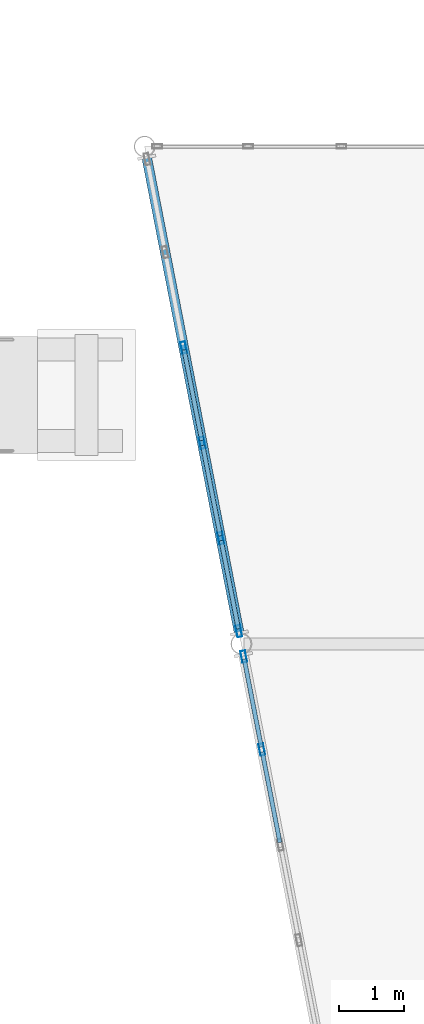
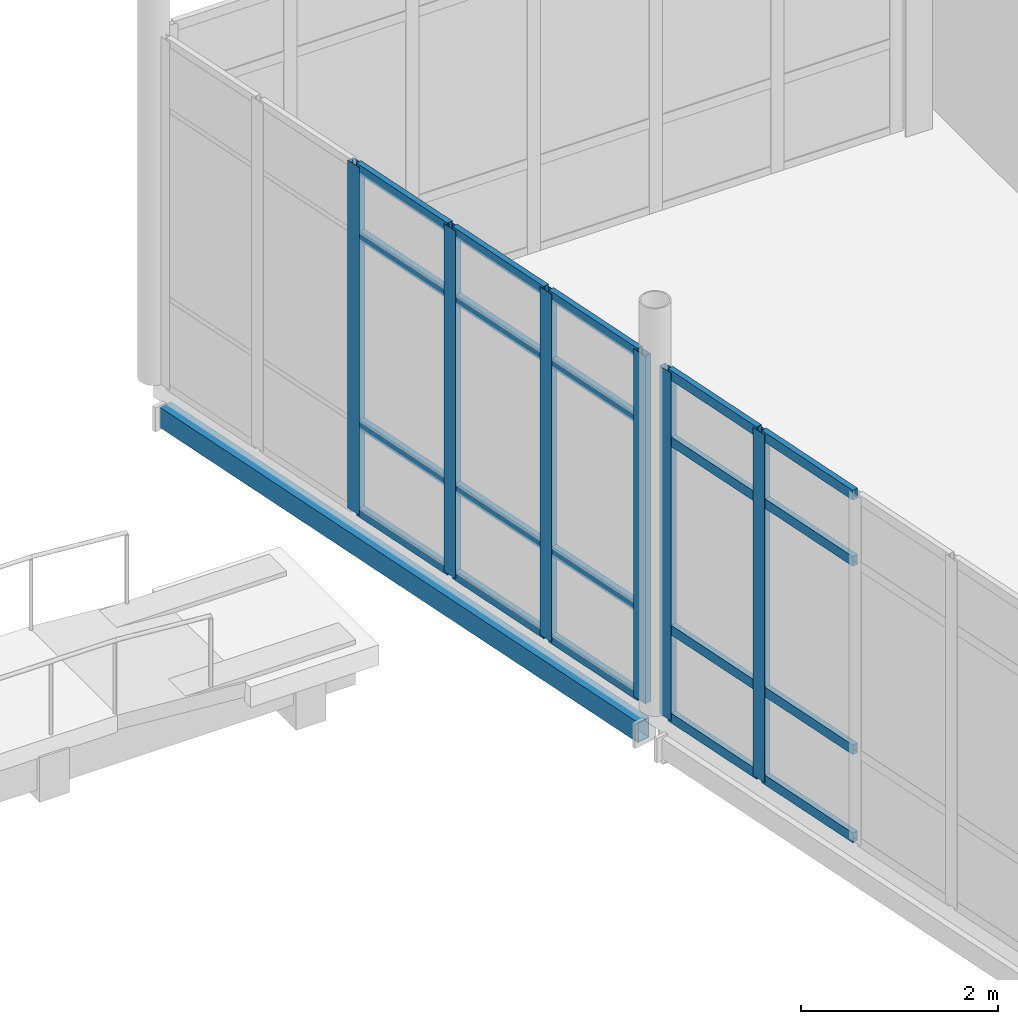
# One storey, part 95 of 161: 26 members, 1 beam, 2 elements without a shape of their own.
"""IFC4 building model written with IfcOpenShell, lengths in metres."""

from ifc_helpers import new_model, si_unit, direction, frame, origin, origin_2d, place, context, subcontext, project, spatial, hollow_rectangle, extrude, material, material_profile, profile_set, type_object, element, aggregate, save


model = new_model("IFC4")

# Units and contexts
model_context = context("Model", 3, precision=1e-05, world=origin(), true_north=direction((0.0, 1.0)))
body_context = subcontext(model_context, "Body", "Model", "MODEL_VIEW")
ifc_project = project(units=[si_unit("LENGTHUNIT", "METRE"), si_unit("AREAUNIT", "SQUARE_METRE"), si_unit("VOLUMEUNIT", "CUBIC_METRE"), si_unit("PLANEANGLEUNIT", "RADIAN"), si_unit("MASSUNIT", "GRAM", prefix="KILO")], contexts=[model_context])

# Site, building, storey
site_placement = place(None, origin())
site = spatial("IfcSite", under=ifc_project, at=site_placement, CompositionType="ELEMENT")
building_placement = place(site_placement, origin())
building = spatial("IfcBuilding", under=site, at=building_placement, Name="Caisbarro Railhouse Central Library", CompositionType="ELEMENT")
storey_placement = place(building_placement, origin())
storey = spatial("IfcBuildingStorey", under=building, at=storey_placement, Name="L00", CompositionType="ELEMENT", Elevation=0.0)

# Beam
ifc_material_1 = material(Name="Steel ASTM A572 Grade 50", Category="steel")
ifc_material_profile_1 = material_profile(ifc_material_1, hollow_rectangle(XDim=0.14990234375, YDim=0.25, WallThickness=0.010009765625, at=origin_2d()), Name="HSS250X150X10")
ifc_profile_set_1 = profile_set([ifc_material_profile_1], Name="Steel ASTM A572 Grade 50")
beam_type = type_object("IfcBeamType", Name="BM-SP03", PredefinedType="SPANDREL", material=ifc_profile_set_1)
beam_placement = place(storey_placement, frame((109.57958984375, 98.976806640625, -0.375), z_axis=(-0.19088559215, 0.981612291442, 0.0), x_axis=(-0.981612291442, -0.19088559215, 0.0)))
element("IfcBeam", 1, at=beam_placement, inside=storey, type_object=beam_type, Name="SP03 beam L00 #686", PredefinedType="SPANDREL", context=body_context, shape_type="SweptSolid", body=[
    extrude(hollow_rectangle(XDim=0.14990234375, YDim=0.25, WallThickness=0.010009765625, at=origin_2d()), origin(), (0.0, 0.0, 1.0), 7.38232421875),
])

# Curtain wall, members
ifc_material_2 = material(Name="Anodised architectural aluminium", Category="aluminium")
curtain_wall_type = type_object("IfcCurtainWallType", Name="CW-CW01", PredefinedType="NOTDEFINED", material=ifc_material_2)
curtain_wall_1_placement = place(storey_placement, origin())
curtain_wall_1 = element("IfcCurtainWall", 2, at=curtain_wall_1_placement, inside=storey, type_object=curtain_wall_type, Name="CW01 curtain wall L00 #99", PredefinedType="NOTDEFINED")
ifc_material_profile_2 = material_profile(ifc_material_2, hollow_rectangle(XDim=0.074951171875, YDim=0.179931640625, WallThickness=0.00439453125, at=origin_2d()), Name="ALU-MUL-75X180")
ifc_profile_set_2 = profile_set([ifc_material_profile_2], Name="Anodised architectural aluminium")
member_type_1 = type_object("IfcMemberType", Name="CWM-M01", PredefinedType="MULLION", material=ifc_profile_set_2)
member_1_placement = place(storey_placement, frame((109.927734375, 97.185791015625, 0.0), z_axis=(0.0, 0.0, 1.0), x_axis=(-0.981632635401, -0.190780945369, 0.0)))
member_1 = element("IfcMember", 3, at=member_1_placement, type_object=member_type_1, Name="CW01 mullion 5", PredefinedType="MULLION", context=body_context, shape_type="SweptSolid", body=[
    extrude(hollow_rectangle(XDim=0.074951171875, YDim=0.179931640625, WallThickness=0.00439453125, at=origin_2d()), origin(), (0.0, 0.0, 1.0), 4.300048828125),
])
member_2_placement = place(storey_placement, frame((109.651611328125, 98.606201171875, 0.0), z_axis=(0.0, 0.0, 1.0), x_axis=(-0.981632635401, -0.190780945369, 0.0)))
member_2 = element("IfcMember", 4, at=member_2_placement, type_object=member_type_1, Name="CW01 mullion 6", PredefinedType="MULLION", context=body_context, shape_type="SweptSolid", body=[
    extrude(hollow_rectangle(XDim=0.074951171875, YDim=0.179931640625, WallThickness=0.00439453125, at=origin_2d()), origin(), (0.0, 0.0, 1.0), 4.300048828125),
])

curtain_wall_2_placement = place(storey_placement, origin())
curtain_wall_2 = element("IfcCurtainWall", 5, at=curtain_wall_2_placement, inside=storey, type_object=curtain_wall_type, Name="CW01 curtain wall L00 #100", PredefinedType="NOTDEFINED")
member_3_placement = place(storey_placement, frame((109.576416015625, 98.993896484375, 0.0), z_axis=(0.0, 0.0, 1.0), x_axis=(-0.98160739523, -0.190910768765, 0.0)))
member_3 = element("IfcMember", 6, at=member_3_placement, type_object=member_type_1, Name="CW01 mullion 1", PredefinedType="MULLION", context=body_context, shape_type="SweptSolid", body=[
    extrude(hollow_rectangle(XDim=0.074951171875, YDim=0.179931640625, WallThickness=0.00439453125, at=origin_2d()), origin(), (0.0, 0.0, 1.0), 4.300048828125),
])
member_4_placement = place(storey_placement, frame((109.300048828125, 100.414306640625, 0.0), z_axis=(0.0, 0.0, 1.0), x_axis=(-0.98160739523, -0.190910768765, 0.0)))
member_4 = element("IfcMember", 7, at=member_4_placement, type_object=member_type_1, Name="CW01 mullion 2", PredefinedType="MULLION", context=body_context, shape_type="SweptSolid", body=[
    extrude(hollow_rectangle(XDim=0.074951171875, YDim=0.179931640625, WallThickness=0.00439453125, at=origin_2d()), origin(), (0.0, 0.0, 1.0), 4.300048828125),
])
member_5_placement = place(storey_placement, frame((109.0166015625, 101.871337890625, 0.0), z_axis=(0.0, 0.0, 1.0), x_axis=(-0.98160739523, -0.190910768765, 0.0)))
member_5 = element("IfcMember", 8, at=member_5_placement, type_object=member_type_1, Name="CW01 mullion 3", PredefinedType="MULLION", context=body_context, shape_type="SweptSolid", body=[
    extrude(hollow_rectangle(XDim=0.074951171875, YDim=0.179931640625, WallThickness=0.00439453125, at=origin_2d()), origin(), (0.0, 0.0, 1.0), 4.300048828125),
])
member_6_placement = place(storey_placement, frame((108.7333984375, 103.32861328125, 0.0), z_axis=(0.0, 0.0, 1.0), x_axis=(-0.98160739523, -0.190910768765, 0.0)))
member_6 = element("IfcMember", 9, at=member_6_placement, type_object=member_type_1, Name="CW01 mullion 4", PredefinedType="MULLION", context=body_context, shape_type="SweptSolid", body=[
    extrude(hollow_rectangle(XDim=0.074951171875, YDim=0.179931640625, WallThickness=0.00439453125, at=origin_2d()), origin(), (0.0, 0.0, 1.0), 4.300048828125),
])

# Member
ifc_material_profile_3 = material_profile(ifc_material_2, hollow_rectangle(XDim=0.06494140625, YDim=0.1201171875, WallThickness=0.00341796875, at=origin_2d()), Name="ALU-TRN-65X120")
ifc_profile_set_3 = profile_set([ifc_material_profile_3], Name="Anodised architectural aluminium")
member_type_2 = type_object("IfcMemberType", Name="CWT-T02", PredefinedType="USERDEFINED", material=ifc_profile_set_3)
member_7_placement = place(storey_placement, frame((110.203857421875, 95.765380859375, 0.032470703125), z_axis=(-0.190883567843, 0.981612685089, 0.0), x_axis=(-0.981612685089, -0.190883567843, 0.0)))
member_7 = element("IfcMember", 10, at=member_7_placement, type_object=member_type_2, Name="CW01 transom 4.1", ObjectType="TRANSOM", PredefinedType="USERDEFINED", context=body_context, shape_type="SweptSolid", body=[
    extrude(hollow_rectangle(XDim=0.06494140625, YDim=0.1201171875, WallThickness=0.00341796875, at=origin_2d()), origin(), (0.0, 0.0, 1.0), 1.409423828125),
])

member_8_placement = place(storey_placement, frame((110.203857421875, 95.765380859375, 1.1201171875), z_axis=(-0.190883567843, 0.981612685089, 0.0), x_axis=(-0.981612685089, -0.190883567843, 0.0)))
member_8 = element("IfcMember", 11, at=member_8_placement, type_object=member_type_2, Name="CW01 transom 4.2", ObjectType="TRANSOM", PredefinedType="USERDEFINED", context=body_context, shape_type="SweptSolid", body=[
    extrude(hollow_rectangle(XDim=0.06494140625, YDim=0.1201171875, WallThickness=0.00341796875, at=origin_2d()), origin(), (0.0, 0.0, 1.0), 1.409423828125),
])

member_9_placement = place(storey_placement, frame((110.203857421875, 95.765380859375, 3.449951171875), z_axis=(-0.190883567843, 0.981612685089, 0.0), x_axis=(-0.981612685089, -0.190883567843, 0.0)))
member_9 = element("IfcMember", 12, at=member_9_placement, type_object=member_type_2, Name="CW01 transom 4.3", ObjectType="TRANSOM", PredefinedType="USERDEFINED", context=body_context, shape_type="SweptSolid", body=[
    extrude(hollow_rectangle(XDim=0.06494140625, YDim=0.1201171875, WallThickness=0.00341796875, at=origin_2d()), origin(), (0.0, 0.0, 1.0), 1.409423828125),
])

member_10_placement = place(storey_placement, frame((110.203857421875, 95.765380859375, 4.267578125), z_axis=(-0.190883567843, 0.981612685089, 0.0), x_axis=(-0.981612685089, -0.190883567843, 0.0)))
member_10 = element("IfcMember", 13, at=member_10_placement, type_object=member_type_2, Name="CW01 transom 4.4", ObjectType="TRANSOM", PredefinedType="USERDEFINED", context=body_context, shape_type="SweptSolid", body=[
    extrude(hollow_rectangle(XDim=0.06494140625, YDim=0.1201171875, WallThickness=0.00341796875, at=origin_2d()), origin(), (0.0, 0.0, 1.0), 1.409423828125),
])

member_11_placement = place(storey_placement, frame((109.920654296875, 97.22265625, 0.032470703125), z_axis=(-0.190945868313, 0.981600568141, 0.0), x_axis=(-0.981600568141, -0.190945868313, 0.0)))
member_11 = element("IfcMember", 14, at=member_11_placement, type_object=member_type_2, Name="CW01 transom 5.1", ObjectType="TRANSOM", PredefinedType="USERDEFINED", context=body_context, shape_type="SweptSolid", body=[
    extrude(hollow_rectangle(XDim=0.06494140625, YDim=0.1201171875, WallThickness=0.00341796875, at=origin_2d()), origin(), (0.0, 0.0, 1.0), 1.371826171875),
])

member_12_placement = place(storey_placement, frame((109.920654296875, 97.22265625, 1.1201171875), z_axis=(-0.190945868313, 0.981600568141, 0.0), x_axis=(-0.981600568141, -0.190945868313, 0.0)))
member_12 = element("IfcMember", 15, at=member_12_placement, type_object=member_type_2, Name="CW01 transom 5.2", ObjectType="TRANSOM", PredefinedType="USERDEFINED", context=body_context, shape_type="SweptSolid", body=[
    extrude(hollow_rectangle(XDim=0.06494140625, YDim=0.1201171875, WallThickness=0.00341796875, at=origin_2d()), origin(), (0.0, 0.0, 1.0), 1.371826171875),
])

member_13_placement = place(storey_placement, frame((109.920654296875, 97.22265625, 3.449951171875), z_axis=(-0.190945868313, 0.981600568141, 0.0), x_axis=(-0.981600568141, -0.190945868313, 0.0)))
member_13 = element("IfcMember", 16, at=member_13_placement, type_object=member_type_2, Name="CW01 transom 5.3", ObjectType="TRANSOM", PredefinedType="USERDEFINED", context=body_context, shape_type="SweptSolid", body=[
    extrude(hollow_rectangle(XDim=0.06494140625, YDim=0.1201171875, WallThickness=0.00341796875, at=origin_2d()), origin(), (0.0, 0.0, 1.0), 1.371826171875),
])

member_14_placement = place(storey_placement, frame((109.920654296875, 97.22265625, 4.267578125), z_axis=(-0.190945868313, 0.981600568141, 0.0), x_axis=(-0.981600568141, -0.190945868313, 0.0)))
member_14 = element("IfcMember", 17, at=member_14_placement, type_object=member_type_2, Name="CW01 transom 5.4", ObjectType="TRANSOM", PredefinedType="USERDEFINED", context=body_context, shape_type="SweptSolid", body=[
    extrude(hollow_rectangle(XDim=0.06494140625, YDim=0.1201171875, WallThickness=0.00341796875, at=origin_2d()), origin(), (0.0, 0.0, 1.0), 1.371826171875),
])

aggregate(curtain_wall_1, [member_1, member_2, member_7, member_8, member_9, member_10, member_11, member_12, member_13, member_14])

member_15_placement = place(storey_placement, frame((109.569091796875, 99.03076171875, 0.032470703125), z_axis=(-0.190774392735, 0.981633908887, 0.0), x_axis=(-0.981633908887, -0.190774392735, 0.0)))
member_15 = element("IfcMember", 18, at=member_15_placement, type_object=member_type_2, Name="CW01 transom 1.1", ObjectType="TRANSOM", PredefinedType="USERDEFINED", context=body_context, shape_type="SweptSolid", body=[
    extrude(hollow_rectangle(XDim=0.06494140625, YDim=0.1201171875, WallThickness=0.00341796875, at=origin_2d()), origin(), (0.0, 0.0, 1.0), 1.371826171875),
])

member_16_placement = place(storey_placement, frame((109.569091796875, 99.03076171875, 1.1201171875), z_axis=(-0.190774392735, 0.981633908887, 0.0), x_axis=(-0.981633908887, -0.190774392735, 0.0)))
member_16 = element("IfcMember", 19, at=member_16_placement, type_object=member_type_2, Name="CW01 transom 1.2", ObjectType="TRANSOM", PredefinedType="USERDEFINED", context=body_context, shape_type="SweptSolid", body=[
    extrude(hollow_rectangle(XDim=0.06494140625, YDim=0.1201171875, WallThickness=0.00341796875, at=origin_2d()), origin(), (0.0, 0.0, 1.0), 1.371826171875),
])

member_17_placement = place(storey_placement, frame((109.569091796875, 99.03076171875, 3.449951171875), z_axis=(-0.190774392735, 0.981633908887, 0.0), x_axis=(-0.981633908887, -0.190774392735, 0.0)))
member_17 = element("IfcMember", 20, at=member_17_placement, type_object=member_type_2, Name="CW01 transom 1.3", ObjectType="TRANSOM", PredefinedType="USERDEFINED", context=body_context, shape_type="SweptSolid", body=[
    extrude(hollow_rectangle(XDim=0.06494140625, YDim=0.1201171875, WallThickness=0.00341796875, at=origin_2d()), origin(), (0.0, 0.0, 1.0), 1.371826171875),
])

member_18_placement = place(storey_placement, frame((109.569091796875, 99.03076171875, 4.267578125), z_axis=(-0.190774392735, 0.981633908887, 0.0), x_axis=(-0.981633908887, -0.190774392735, 0.0)))
member_18 = element("IfcMember", 21, at=member_18_placement, type_object=member_type_2, Name="CW01 transom 1.4", ObjectType="TRANSOM", PredefinedType="USERDEFINED", context=body_context, shape_type="SweptSolid", body=[
    extrude(hollow_rectangle(XDim=0.06494140625, YDim=0.1201171875, WallThickness=0.00341796875, at=origin_2d()), origin(), (0.0, 0.0, 1.0), 1.371826171875),
])

member_19_placement = place(storey_placement, frame((109.29296875, 100.451171875, 0.032470703125), z_axis=(-0.190883567843, 0.981612685089, 0.0), x_axis=(-0.981612685089, -0.190883567843, 0.0)))
member_19 = element("IfcMember", 22, at=member_19_placement, type_object=member_type_2, Name="CW01 transom 2.1", ObjectType="TRANSOM", PredefinedType="USERDEFINED", context=body_context, shape_type="SweptSolid", body=[
    extrude(hollow_rectangle(XDim=0.06494140625, YDim=0.1201171875, WallThickness=0.00341796875, at=origin_2d()), origin(), (0.0, 0.0, 1.0), 1.409423828125),
])

member_20_placement = place(storey_placement, frame((109.29296875, 100.451171875, 1.1201171875), z_axis=(-0.190883567843, 0.981612685089, 0.0), x_axis=(-0.981612685089, -0.190883567843, 0.0)))
member_20 = element("IfcMember", 23, at=member_20_placement, type_object=member_type_2, Name="CW01 transom 2.2", ObjectType="TRANSOM", PredefinedType="USERDEFINED", context=body_context, shape_type="SweptSolid", body=[
    extrude(hollow_rectangle(XDim=0.06494140625, YDim=0.1201171875, WallThickness=0.00341796875, at=origin_2d()), origin(), (0.0, 0.0, 1.0), 1.409423828125),
])

member_21_placement = place(storey_placement, frame((109.29296875, 100.451171875, 3.449951171875), z_axis=(-0.190883567843, 0.981612685089, 0.0), x_axis=(-0.981612685089, -0.190883567843, 0.0)))
member_21 = element("IfcMember", 24, at=member_21_placement, type_object=member_type_2, Name="CW01 transom 2.3", ObjectType="TRANSOM", PredefinedType="USERDEFINED", context=body_context, shape_type="SweptSolid", body=[
    extrude(hollow_rectangle(XDim=0.06494140625, YDim=0.1201171875, WallThickness=0.00341796875, at=origin_2d()), origin(), (0.0, 0.0, 1.0), 1.409423828125),
])

member_22_placement = place(storey_placement, frame((109.29296875, 100.451171875, 4.267578125), z_axis=(-0.190883567843, 0.981612685089, 0.0), x_axis=(-0.981612685089, -0.190883567843, 0.0)))
member_22 = element("IfcMember", 25, at=member_22_placement, type_object=member_type_2, Name="CW01 transom 2.4", ObjectType="TRANSOM", PredefinedType="USERDEFINED", context=body_context, shape_type="SweptSolid", body=[
    extrude(hollow_rectangle(XDim=0.06494140625, YDim=0.1201171875, WallThickness=0.00341796875, at=origin_2d()), origin(), (0.0, 0.0, 1.0), 1.409423828125),
])

member_23_placement = place(storey_placement, frame((109.009521484375, 101.908203125, 0.032470703125), z_axis=(-0.190883567843, 0.981612685089, 0.0), x_axis=(-0.981612685089, -0.190883567843, 0.0)))
member_23 = element("IfcMember", 26, at=member_23_placement, type_object=member_type_2, Name="CW01 transom 3.1", ObjectType="TRANSOM", PredefinedType="USERDEFINED", context=body_context, shape_type="SweptSolid", body=[
    extrude(hollow_rectangle(XDim=0.06494140625, YDim=0.1201171875, WallThickness=0.00341796875, at=origin_2d()), origin(), (0.0, 0.0, 1.0), 1.409423828125),
])

member_24_placement = place(storey_placement, frame((109.009521484375, 101.908203125, 1.1201171875), z_axis=(-0.190883567843, 0.981612685089, 0.0), x_axis=(-0.981612685089, -0.190883567843, 0.0)))
member_24 = element("IfcMember", 27, at=member_24_placement, type_object=member_type_2, Name="CW01 transom 3.2", ObjectType="TRANSOM", PredefinedType="USERDEFINED", context=body_context, shape_type="SweptSolid", body=[
    extrude(hollow_rectangle(XDim=0.06494140625, YDim=0.1201171875, WallThickness=0.00341796875, at=origin_2d()), origin(), (0.0, 0.0, 1.0), 1.409423828125),
])

member_25_placement = place(storey_placement, frame((109.009521484375, 101.908203125, 3.449951171875), z_axis=(-0.190883567843, 0.981612685089, 0.0), x_axis=(-0.981612685089, -0.190883567843, 0.0)))
member_25 = element("IfcMember", 28, at=member_25_placement, type_object=member_type_2, Name="CW01 transom 3.3", ObjectType="TRANSOM", PredefinedType="USERDEFINED", context=body_context, shape_type="SweptSolid", body=[
    extrude(hollow_rectangle(XDim=0.06494140625, YDim=0.1201171875, WallThickness=0.00341796875, at=origin_2d()), origin(), (0.0, 0.0, 1.0), 1.409423828125),
])

member_26_placement = place(storey_placement, frame((109.009521484375, 101.908203125, 4.267578125), z_axis=(-0.190883567843, 0.981612685089, 0.0), x_axis=(-0.981612685089, -0.190883567843, 0.0)))
member_26 = element("IfcMember", 29, at=member_26_placement, type_object=member_type_2, Name="CW01 transom 3.4", ObjectType="TRANSOM", PredefinedType="USERDEFINED", context=body_context, shape_type="SweptSolid", body=[
    extrude(hollow_rectangle(XDim=0.06494140625, YDim=0.1201171875, WallThickness=0.00341796875, at=origin_2d()), origin(), (0.0, 0.0, 1.0), 1.409423828125),
])

aggregate(curtain_wall_2, [member_3, member_4, member_5, member_6, member_15, member_16, member_17, member_18, member_19, member_20, member_21, member_22, member_23, member_24, member_25, member_26])

save(model, "model.ifc")
